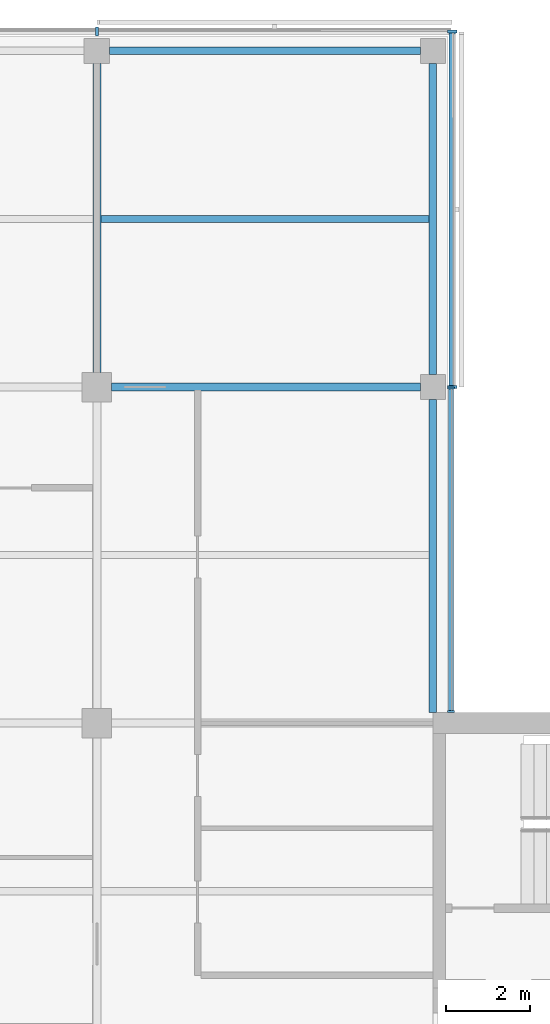
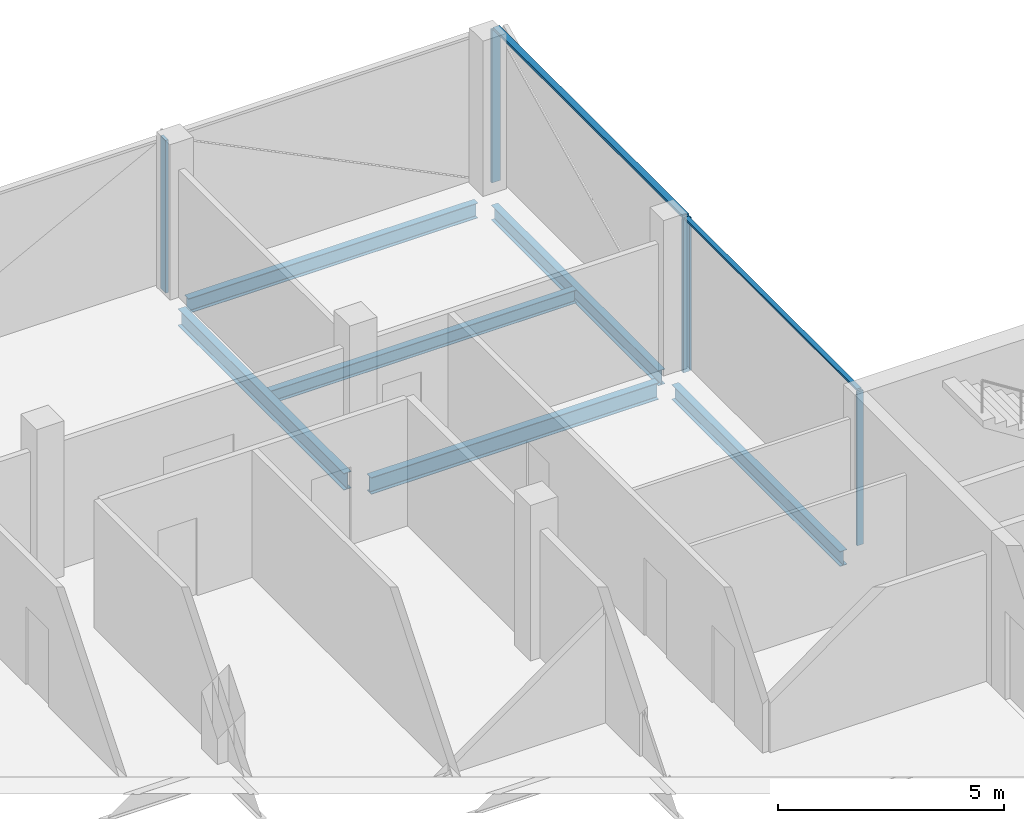
# One storey, part 7 of 16: 7 members, 6 beams, 3 elements without a shape of their own.
"""IFC4 building model written with IfcOpenShell, lengths in metres."""

from ifc_helpers import new_model, si_unit, direction, frame, origin, origin_2d, place, context, subcontext, project, spatial, rectangle, i_section, extrude, material, material_profile, profile_set, type_object, element, aggregate, save


model = new_model("IFC4")

# Units and contexts
model_context = context("Model", 3, precision=1e-05, world=origin(), true_north=direction((0.0, 1.0)))
body_context = subcontext(model_context, "Body", "Model", "MODEL_VIEW")
ifc_project = project(units=[si_unit("LENGTHUNIT", "METRE"), si_unit("AREAUNIT", "SQUARE_METRE"), si_unit("VOLUMEUNIT", "CUBIC_METRE"), si_unit("PLANEANGLEUNIT", "RADIAN"), si_unit("MASSUNIT", "GRAM", prefix="KILO")], contexts=[model_context])

# Site, building, storey
site_placement = place(None, origin())
site = spatial("IfcSite", under=ifc_project, at=site_placement, CompositionType="ELEMENT")
building_placement = place(site_placement, origin())
building = spatial("IfcBuilding", under=site, at=building_placement, Name="Crosswind Convention Tower", CompositionType="ELEMENT")
storey_placement = place(building_placement, frame((0.0, 0.0, 274.5)))
storey = spatial("IfcBuildingStorey", under=building, at=storey_placement, Name="L59", CompositionType="ELEMENT", Elevation=274.5)

# Beams
ifc_material_1 = material(Name="Steel S355", Category="steel")
ifc_material_profile_1 = material_profile(ifc_material_1, i_section(OverallWidth=0.177734375, OverallDepth=0.406494140625, WebThickness=0.0078125, FlangeThickness=0.0126953125, FilletRadius=0.01025390625, at=origin_2d()), Name="UB 406x178x60")
ifc_profile_set_1 = profile_set([ifc_material_profile_1], Name="Steel S355")
beam_type_1 = type_object("IfcBeamType", Name="Edge beam UB 406x178x60", PredefinedType="SPANDREL", material=ifc_profile_set_1)
beam_1_placement = place(storey_placement, frame((129.300048828125, 128.0, -0.503173828125), z_axis=(1.0, 0.0, 0.0), x_axis=(0.0, 1.0, 0.0)))
element("IfcBeam", 1, at=beam_1_placement, inside=storey, type_object=beam_type_1, Name="B15 L59 edge beam 10", PredefinedType="SPANDREL", context=body_context, shape_type="SweptSolid", body=[
    extrude(i_section(OverallWidth=0.177734375, OverallDepth=0.406494140625, WebThickness=0.0078125, FlangeThickness=0.0126953125, FilletRadius=0.01025390625, at=origin_2d()), origin(), (0.0, 0.0, 1.0), 7.39990234375),
])
beam_2_placement = place(storey_placement, frame((137.0, 112.25, -0.503173828125), z_axis=(0.0, 1.0, 0.0), x_axis=(-1.0, 0.0, 0.0)))
element("IfcBeam", 2, at=beam_2_placement, inside=storey, type_object=beam_type_1, Name="B15 L59 edge beam 13", PredefinedType="SPANDREL", context=body_context, shape_type="SweptSolid", body=[
    extrude(i_section(OverallWidth=0.177734375, OverallDepth=0.406494140625, WebThickness=0.0078125, FlangeThickness=0.0126953125, FilletRadius=0.01025390625, at=origin_2d()), origin(), (0.0, 0.0, 1.0), 7.449951171875),
])
beam_3_placement = place(storey_placement, frame((137.0, 120.300048828125, -0.503173828125), z_axis=(0.0, 1.0, 0.0), x_axis=(-1.0, 0.0, 0.0)))
element("IfcBeam", 3, at=beam_3_placement, inside=storey, type_object=beam_type_1, Name="B15 L59 edge beam 14", PredefinedType="SPANDREL", context=body_context, shape_type="SweptSolid", body=[
    extrude(i_section(OverallWidth=0.177734375, OverallDepth=0.406494140625, WebThickness=0.0078125, FlangeThickness=0.0126953125, FilletRadius=0.01025390625, at=origin_2d()), origin(), (0.0, 0.0, 1.0), 7.39990234375),
])
ifc_material_profile_2 = material_profile(ifc_material_1, i_section(OverallWidth=0.18994140625, OverallDepth=0.45361328125, WebThickness=0.008544921875, FlangeThickness=0.0126953125, FilletRadius=0.01025390625, at=origin_2d()), Name="UB 457x191x67")
ifc_profile_set_2 = profile_set([ifc_material_profile_2], Name="Steel S355")
beam_type_2 = type_object("IfcBeamType", Name="Girder UB 457x191x67", PredefinedType="BEAM", material=ifc_profile_set_2)
for number, where, z_axis, x_axis, name in (
    (4, (129.0, 120.35009765625, -0.52685546875), (0.0, 1.0, 0.0), (-1.0, 0.0, 0.0), "B1 L59 girder 22"),
    (5, (129.35009765625, 120.0, -0.52685546875), (1.0, 0.0, 0.0), (0.0, 1.0, 0.0), "B1 L59 girder 24"),
):
    element("IfcBeam", number, at=place(storey_placement, frame(where, z_axis=z_axis, x_axis=x_axis)), inside=storey, type_object=beam_type_2, Name=name, PredefinedType="BEAM", context=body_context, shape_type="SweptSolid", body=[
        extrude(i_section(OverallWidth=0.18994140625, OverallDepth=0.45361328125, WebThickness=0.008544921875, FlangeThickness=0.0126953125, FilletRadius=0.01025390625, at=origin_2d()), origin(), (0.0, 0.0, 1.0), 7.349853515625),
    ])

# Curtain wall, members
ifc_material_2 = material(Name="Aluminium unitised curtain wall", Category="aluminium")
curtain_wall_type_1 = type_object("IfcCurtainWallType", Name="CORE END SLOT WALL 160", PredefinedType="USERDEFINED", material=ifc_material_2)
curtain_wall_1_placement = place(storey_placement, origin())
curtain_wall_1 = element("IfcCurtainWall", 6, at=curtain_wall_1_placement, inside=storey, type_object=curtain_wall_type_1, Name="CW6 L59 N-E.1-1 slot", ObjectType="UNITISED", PredefinedType="USERDEFINED")
ifc_material_3 = material(Name="Aluminium mullion", Category="aluminium")
ifc_material_profile_3 = material_profile(ifc_material_3, rectangle(XDim=0.159912109375, YDim=0.050048828125, at=origin_2d()), Name="AL 160X50")
ifc_profile_set_3 = profile_set([ifc_material_profile_3], Name="Aluminium mullion")
member_type_1 = type_object("IfcMemberType", Name="MULLION 50X160", PredefinedType="MULLION", material=ifc_profile_set_3)
member_1_placement = place(storey_placement, frame((137.429931640625, 112.27490234375, -0.300048828125), z_axis=(0.0, 0.0, 1.0), x_axis=(1.0, 0.0, 0.0)))
member_1 = element("IfcMember", 7, at=member_1_placement, type_object=member_type_1, Name="CW6 mullion 1", PredefinedType="MULLION", context=body_context, shape_type="SweptSolid", body=[
    extrude(rectangle(XDim=0.159912109375, YDim=0.050048828125, at=origin_2d()), origin(), (0.0, 0.0, 1.0), 4.150146484375),
])
member_2_placement = place(storey_placement, frame((137.429931640625, 119.97509765625, -0.300048828125), z_axis=(0.0, 0.0, 1.0), x_axis=(1.0, 0.0, 0.0)))
member_2 = element("IfcMember", 8, at=member_2_placement, type_object=member_type_1, Name="CW6 mullion 2", PredefinedType="MULLION", context=body_context, shape_type="SweptSolid", body=[
    extrude(rectangle(XDim=0.159912109375, YDim=0.050048828125, at=origin_2d()), origin(), (0.0, 0.0, 1.0), 4.150146484375),
])

curtain_wall_type_2 = type_object("IfcCurtainWallType", Name="OFFICE UNITISED WALL 220", PredefinedType="USERDEFINED", material=ifc_material_2)
curtain_wall_2_placement = place(storey_placement, origin())
curtain_wall_2 = element("IfcCurtainWall", 9, at=curtain_wall_2_placement, inside=storey, type_object=curtain_wall_type_2, Name="CW3 L59 N-E 1", ObjectType="UNITISED", PredefinedType="USERDEFINED")
ifc_material_profile_4 = material_profile(ifc_material_3, rectangle(XDim=0.219970703125, YDim=0.070068359375, at=origin_2d()), Name="AL 220X70")
ifc_profile_set_4 = profile_set([ifc_material_profile_4], Name="Aluminium mullion")
member_type_2 = type_object("IfcMemberType", Name="MULLION 70X220", PredefinedType="MULLION", material=ifc_profile_set_4)
member_3_placement = place(storey_placement, frame((137.4599609375, 120.0, -0.300048828125), z_axis=(0.0, 0.0, 1.0), x_axis=(1.0, 0.0, 0.0)))
member_3 = element("IfcMember", 10, at=member_3_placement, type_object=member_type_2, Name="CW3 mullion 1", PredefinedType="MULLION", context=body_context, shape_type="SweptSolid", body=[
    extrude(rectangle(XDim=0.219970703125, YDim=0.070068359375, at=origin_2d()), origin(), (0.0, 0.0, 1.0), 4.130126953125),
])
member_4_placement = place(storey_placement, frame((137.4599609375, 128.4599609375, -0.300048828125), z_axis=(0.0, 0.0, 1.0), x_axis=(1.0, 0.0, 0.0)))
member_4 = element("IfcMember", 11, at=member_4_placement, type_object=member_type_2, Name="CW3 mullion 2", PredefinedType="MULLION", context=body_context, shape_type="SweptSolid", body=[
    extrude(rectangle(XDim=0.219970703125, YDim=0.070068359375, at=origin_2d()), origin(), (0.0, 0.0, 1.0), 4.130126953125),
])

# Curtain wall, member
curtain_wall_3_placement = place(storey_placement, origin())
curtain_wall_3 = element("IfcCurtainWall", 12, at=curtain_wall_3_placement, inside=storey, type_object=curtain_wall_type_2, Name="CW3 L59 N-TIP 1", ObjectType="UNITISED", PredefinedType="USERDEFINED")
member_5_placement = place(storey_placement, frame((129.0, 128.4599609375, -0.300048828125), z_axis=(0.0, 0.0, 1.0), x_axis=(0.0, 1.0, 0.0)))
member_5 = element("IfcMember", 13, at=member_5_placement, type_object=member_type_2, Name="CW3 mullion 2", PredefinedType="MULLION", context=body_context, shape_type="SweptSolid", body=[
    extrude(rectangle(XDim=0.219970703125, YDim=0.070068359375, at=origin_2d()), origin(), (0.0, 0.0, 1.0), 4.130126953125),
])
aggregate(curtain_wall_3, [member_5])

# Beam
ifc_material_profile_5 = material_profile(ifc_material_1, i_section(OverallWidth=0.17138671875, OverallDepth=0.355712890625, WebThickness=0.00732421875, FlangeThickness=0.011474609375, FilletRadius=0.01025390625, at=origin_2d()), Name="UB 356x171x51")
ifc_profile_set_5 = profile_set([ifc_material_profile_5], Name="Steel S355")
beam_type_3 = type_object("IfcBeamType", Name="Secondary beam UB 356x171x51", PredefinedType="JOIST", material=ifc_profile_set_5)
beam_4_placement = place(storey_placement, frame((129.094970703125, 124.0, -0.477783203125), z_axis=(1.0, 0.0, 0.0), x_axis=(0.0, 1.0, 0.0)))
element("IfcBeam", 14, at=beam_4_placement, inside=storey, type_object=beam_type_3, Name="B8 L59 secondary beam 21", PredefinedType="JOIST", context=body_context, shape_type="SweptSolid", body=[
    extrude(i_section(OverallWidth=0.17138671875, OverallDepth=0.355712890625, WebThickness=0.00732421875, FlangeThickness=0.011474609375, FilletRadius=0.01025390625, at=origin_2d()), origin(), (0.0, 0.0, 1.0), 7.816162109375),
])

# Member
ifc_material_4 = material(Name="Aluminium transom", Category="aluminium")
ifc_material_profile_6 = material_profile(ifc_material_4, rectangle(XDim=0.1201171875, YDim=0.050048828125, at=origin_2d()), Name="AL 120X50")
ifc_profile_set_6 = profile_set([ifc_material_profile_6], Name="Aluminium transom")
member_type_3 = type_object("IfcMemberType", Name="TRANSOM 50X120", PredefinedType="USERDEFINED", material=ifc_profile_set_6)
member_6_placement = place(storey_placement, frame((137.429931640625, 112.300048828125, 3.875), z_axis=(0.0, 1.0, 0.0), x_axis=(-1.0, 0.0, 0.0)))
member_6 = element("IfcMember", 15, at=member_6_placement, type_object=member_type_3, Name="CW6 transom", ObjectType="TRANSOM", PredefinedType="USERDEFINED", context=body_context, shape_type="SweptSolid", body=[
    extrude(rectangle(XDim=0.1201171875, YDim=0.050048828125, at=origin_2d()), origin(), (0.0, 0.0, 1.0), 7.64990234375),
])

aggregate(curtain_wall_1, [member_1, member_2, member_6])

ifc_material_profile_7 = material_profile(ifc_material_4, rectangle(XDim=0.159912109375, YDim=0.070068359375, at=origin_2d()), Name="AL 160X70")
ifc_profile_set_7 = profile_set([ifc_material_profile_7], Name="Aluminium transom")
member_type_4 = type_object("IfcMemberType", Name="TRANSOM 70X160", PredefinedType="USERDEFINED", material=ifc_profile_set_7)
member_7_placement = place(storey_placement, frame((137.4599609375, 120.034912109375, 3.864990234375), z_axis=(0.0, 1.0, 0.0), x_axis=(-1.0, 0.0, 0.0)))
member_7 = element("IfcMember", 16, at=member_7_placement, type_object=member_type_4, Name="CW3 transom", ObjectType="TRANSOM", PredefinedType="USERDEFINED", context=body_context, shape_type="SweptSolid", body=[
    extrude(rectangle(XDim=0.159912109375, YDim=0.070068359375, at=origin_2d()), origin(), (0.0, 0.0, 1.0), 8.39013671875),
])

aggregate(curtain_wall_2, [member_3, member_4, member_7])

save(model, "model.ifc")
